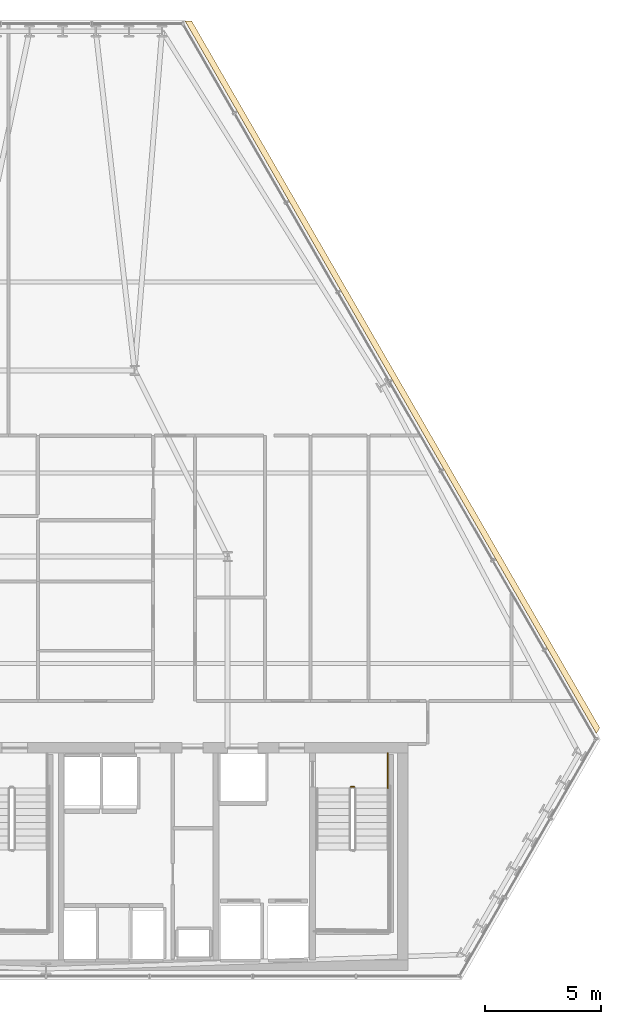
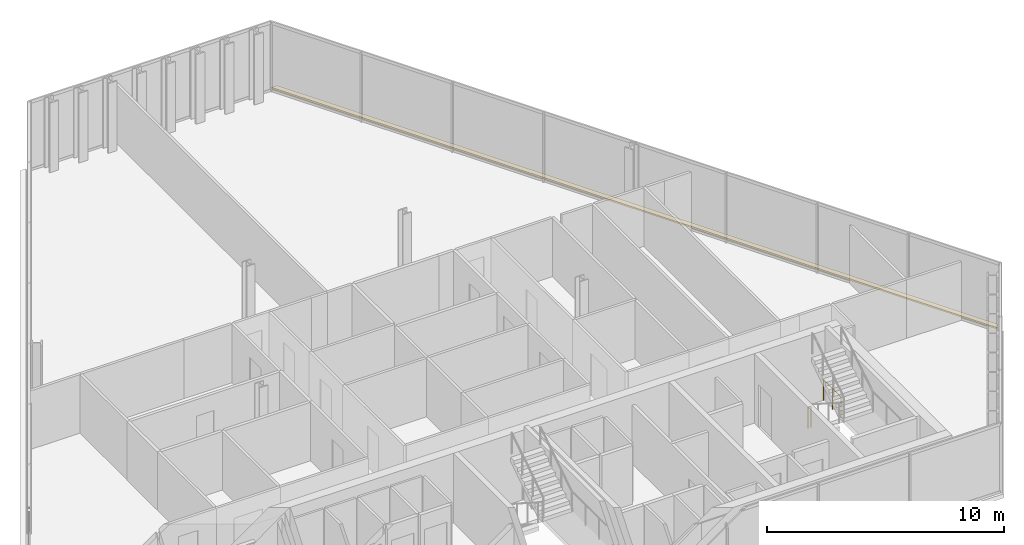
# One storey, part 31 of 31: 2 railings, 1 covering.
"""IFC4 building model written with IfcOpenShell, lengths in metres."""

from ifc_helpers import new_model, si_unit, direction, frame, origin, origin_2d, place, context, subcontext, project, spatial, polyline, circle, outline, extrude, material, layer, layer_set, type_object, element, save


model = new_model("IFC4")

# Units and contexts
model_context = context("Model", 3, precision=1e-05, world=origin(), true_north=direction((0.0, 1.0)))
body_context = subcontext(model_context, "Body", "Model", "MODEL_VIEW")
ifc_project = project(units=[si_unit("LENGTHUNIT", "METRE"), si_unit("AREAUNIT", "SQUARE_METRE"), si_unit("VOLUMEUNIT", "CUBIC_METRE"), si_unit("PLANEANGLEUNIT", "RADIAN"), si_unit("MASSUNIT", "GRAM", prefix="KILO")], contexts=[model_context])

# Site, building, storey
site_placement = place(None, origin())
site = spatial("IfcSite", under=ifc_project, at=site_placement, CompositionType="ELEMENT")
building_placement = place(site_placement, origin())
building = spatial("IfcBuilding", under=site, at=building_placement, Name="Ndaravel Arena Tower", CompositionType="ELEMENT")
storey_placement = place(building_placement, frame((0.0, 0.0, 138.39990234375)))
storey = spatial("IfcBuildingStorey", under=building, at=storey_placement, Name="L32", CompositionType="ELEMENT", Elevation=138.39990234375)

# Covering
ifc_material_1 = material(Name="Roofing Membrane", Category="finish")
ifc_layer_1 = layer(ifc_material_1, 0.080078125)
ifc_layer_set_1 = layer_set([ifc_layer_1], Name="Roofing Membrane")
covering_type = type_object("IfcCoveringType", Name="COV-ROOF-MEMB", PredefinedType="ROOFING", material=ifc_layer_set_1)
covering_placement = place(storey_placement, origin())
element("IfcCovering", 1, at=covering_placement, inside=storey, type_object=covering_type, Name="L32 Facet Setback Weathering Flashing", PredefinedType="ROOFING", context=body_context, shape_type="SweptSolid", body=[
    extrude(outline(polyline([(48.259033203125, 46.216064453125), (65.796142578125, 15.841064453125), (65.65478515625, 15.5966796875), (47.976806640625, 46.216064453125), (48.259033203125, 46.216064453125)])), origin(), (0.0, 0.0, 1.0), 0.080078125),
])

# Railings
ifc_material_2 = material(Name="Steel S355", Category="steel")
ifc_layer_2 = layer(ifc_material_2, 0.06005859375)
ifc_layer_set_2 = layer_set([ifc_layer_2], Name="Steel S355")
railing_type = type_object("IfcRailingType", Name="RAIL-STAIR-GD1100", PredefinedType="GUARDRAIL", material=ifc_layer_set_2)
railing_1_placement = place(storey_placement, frame((55.10009765625, 13.300048828125, 0.0)))
element("IfcRailing", 2, at=railing_1_placement, inside=storey, type_object=railing_type, Name="L32 ST-3 stair guard 4", PredefinedType="GUARDRAIL", context=body_context, shape_type="SweptSolid", body=[
    extrude(circle(Radius=0.02392578125, at=origin_2d()), frame((0.0, 0.0, 1.076171875), z_axis=(1.0, 0.0, 0.0), x_axis=(0.0, 1.0, 0.0)), (0.0, 0.0, 1.0), 0.139892578125),
    extrude(circle(Radius=0.02099609375, at=origin_2d()), origin(), (0.0, 0.0, 1.0), 1.052001953125),
    extrude(circle(Radius=0.02099609375, at=origin_2d()), frame((0.139892578125, 0.0, 0.0)), (0.0, 0.0, 1.0), 1.052001953125),
])
railing_2_placement = place(storey_placement, frame((56.68994140625, 14.75, 0.0)))
element("IfcRailing", 3, at=railing_2_placement, inside=storey, type_object=railing_type, Name="L32 ST-3 stair guard 5", PredefinedType="GUARDRAIL", context=body_context, shape_type="SweptSolid", body=[
    extrude(circle(Radius=0.02392578125, at=origin_2d()), frame((0.0, 0.0, 1.076171875), z_axis=(0.0, -1.0, 0.0), x_axis=(1.0, 0.0, 0.0)), (0.0, 0.0, 1.0), 1.5),
    extrude(circle(Radius=0.02099609375, at=origin_2d()), origin(), (0.0, 0.0, 1.0), 1.052001953125),
    extrude(circle(Radius=0.02099609375, at=origin_2d()), frame((0.0, -0.75, 0.0)), (0.0, 0.0, 1.0), 1.052001953125),
    extrude(circle(Radius=0.02099609375, at=origin_2d()), frame((0.0, -1.5, 0.0)), (0.0, 0.0, 1.0), 1.052001953125),
])

save(model, "model.ifc")
